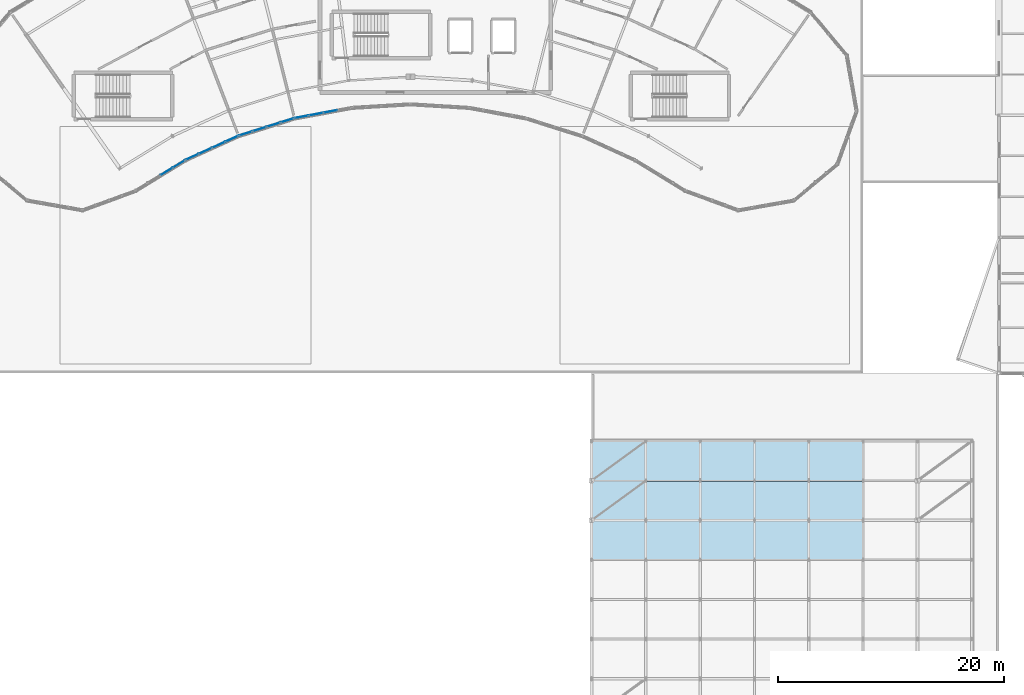
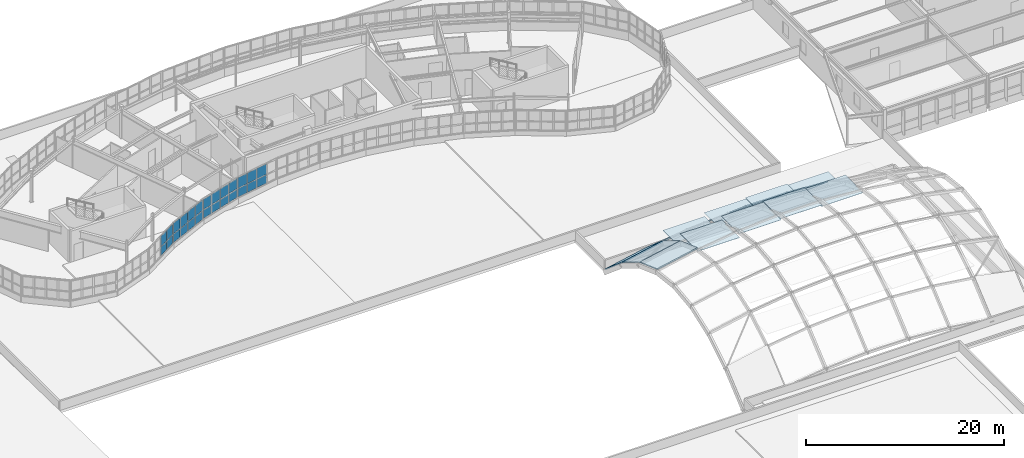
# One storey, part 75 of 128: 34 plates, 7 slabs, 4 elements without a shape of their own.
"""IFC4 building model written with IfcOpenShell, lengths in metres."""

import ifcopenshell
import ifcopenshell.guid

model = None  # the IFC model being written
_history = None  # IfcOwnerHistory: only IFC2X3 demands one
_inside = {}  # id of a spatial element -> (the spatial element, [elements in it])
_under = {}  # id of a project, library or spatial element -> (it, [spatial elements below it])
_declared = {}  # id of a project -> (the project, [libraries it declares])
_typed = {}  # id of a type object -> (the type object, [elements of that type])
_made_of = {}  # id of a material, layer set ... -> (it, [elements and type objects made of it])


def new_model(schema):
    """Start an empty IFC model of exactly this schema.

    Asked for "IFC4X3", IfcOpenShell would pick the latest addendum, in which some entities
    have other attributes; the version numbers below select the first issue.
    IFC2X3 requires an IfcOwnerHistory on every rooted entity: one is made here for all.
    """
    global model, _history
    if schema == "IFC4X3":
        model = ifcopenshell.file(schema_version=(4, 3, 0, 0))
    else:
        model = ifcopenshell.file(schema=schema)
    _inside.clear()
    _under.clear()
    _declared.clear()
    _typed.clear()
    _made_of.clear()
    _history = None
    if model.schema == "IFC2X3":
        org = make("IfcOrganization", Name="unknown")
        user = make(
            "IfcPersonAndOrganization",
            ThePerson=make("IfcPerson", FamilyName="unknown"),
            TheOrganization=org,
        )
        app = make(
            "IfcApplication",
            ApplicationDeveloper=org,
            Version="unknown",
            ApplicationFullName="unknown",
            ApplicationIdentifier="unknown",
        )
        _history = make(
            "IfcOwnerHistory",
            OwningUser=user,
            OwningApplication=app,
            ChangeAction="ADDED",
            CreationDate=0,
        )
    return model


def make(cls, **values):
    """One entity of the class cls with the attributes given. An attribute that is None is left unset."""
    return model.create_entity(
        cls, **{name: value for name, value in values.items() if value is not None}
    )


def rooted(cls, **values):
    """An entity with a GlobalId (a new one), such as an element, a storey or a relation."""
    return make(cls, GlobalId=ifcopenshell.guid.new(), OwnerHistory=_history, **values)


def si_unit(unit_type, name, prefix=None):
    """IfcSIUnit, for example si_unit("LENGTHUNIT", "METRE", prefix="MILLI")."""
    return make("IfcSIUnit", UnitType=unit_type, Prefix=prefix, Name=name)


def assignment(units):
    """IfcUnitAssignment: the units of a project."""
    return None if units is None else make("IfcUnitAssignment", Units=units)


def point(xyz):
    """IfcCartesianPoint."""
    return None if xyz is None else make("IfcCartesianPoint", Coordinates=xyz)


def direction(xyz):
    """IfcDirection."""
    return None if xyz is None else make("IfcDirection", DirectionRatios=xyz)


def frame(location, z_axis=None, x_axis=None):
    """IfcAxis2Placement3D, a coordinate frame: its origin and axes. An axis left out is left unset."""
    return make(
        "IfcAxis2Placement3D",
        Location=point(location),
        Axis=direction(z_axis),
        RefDirection=direction(x_axis),
    )


def frame_2d(location, x_axis=None):
    """IfcAxis2Placement2D, a coordinate frame in the plane: its origin and x axis."""
    return make(
        "IfcAxis2Placement2D", Location=point(location), RefDirection=direction(x_axis)
    )


def origin():
    """The frame at (0, 0, 0) with its axes left unset."""
    return frame((0.0, 0.0, 0.0))


def origin_2d():
    """The frame at (0, 0) in the plane with its x axis left unset."""
    return frame_2d((0.0, 0.0))


def place(relative_to, where):
    """IfcLocalPlacement: puts the frame where relative to a parent placement (None: the world)."""
    return make(
        "IfcLocalPlacement", PlacementRelTo=relative_to, RelativePlacement=where
    )


def context(
    kind, dimensions, precision=None, world=None, true_north=None, identifier=None
):
    """IfcGeometricRepresentationContext, for example the 3D "Model" context."""
    return make(
        "IfcGeometricRepresentationContext",
        ContextIdentifier=identifier,
        ContextType=kind,
        CoordinateSpaceDimension=dimensions,
        Precision=precision,
        WorldCoordinateSystem=world,
        TrueNorth=true_north,
    )


def subcontext(parent, identifier, kind, view, scale=None):
    """IfcGeometricRepresentationSubContext, for example "Body" below "Model"."""
    return make(
        "IfcGeometricRepresentationSubContext",
        ContextIdentifier=identifier,
        ContextType=kind,
        ParentContext=parent,
        TargetScale=scale,
        TargetView=view,
    )


def project(units=None, contexts=None):
    """IfcProject with its units and contexts."""
    return rooted(
        "IfcProject",
        Name="project",
        RepresentationContexts=contexts,
        UnitsInContext=assignment(units),
    )


def spatial(cls, under=None, at=None, **own):
    """A site, building, storey or space (cls), placed at a placement, below another one or the project."""
    s = rooted(cls, ObjectPlacement=at, **own)
    if under is not None:
        _under.setdefault(under.id(), (under, []))[1].append(s)
    return s


def polyline(points):
    """IfcPolyline through the points."""
    return make("IfcPolyline", Points=[point(p) for p in points])


def profile(cls, at=None, kind="AREA", **sizes):
    """A parametric profile (cls). Its sizes go by their IFC names, for example OverallWidth=200.0."""
    return make(cls, ProfileType=kind, Position=at, **sizes)


def rectangle(**sizes):
    """IfcRectangleProfileDef."""
    return profile("IfcRectangleProfileDef", **sizes)


def outline(outer, holes=None, kind="AREA"):
    """IfcArbitraryClosedProfileDef: a profile drawn as a closed curve; with holes, ...WithVoids."""
    if holes is None:
        return make("IfcArbitraryClosedProfileDef", ProfileType=kind, OuterCurve=outer)
    return make(
        "IfcArbitraryProfileDefWithVoids",
        ProfileType=kind,
        OuterCurve=outer,
        InnerCurves=holes,
    )


def extrude(swept, where, along, depth):
    """IfcExtrudedAreaSolid: the profile swept, set in the frame where, extruded along a direction by depth."""
    return make(
        "IfcExtrudedAreaSolid",
        SweptArea=swept,
        Position=where,
        ExtrudedDirection=direction(along),
        Depth=depth,
    )


def shape(context_of_items, identifier, shape_type, items):
    """IfcShapeRepresentation: the items that make up one representation, for example the "Body"."""
    return make(
        "IfcShapeRepresentation",
        ContextOfItems=context_of_items,
        RepresentationIdentifier=identifier,
        RepresentationType=shape_type,
        Items=items,
    )


def material(Name=None, Category=None):
    """IfcMaterial."""
    return make("IfcMaterial", Name=Name, Category=Category)


def layer(
    of_material, thickness, ventilated=None, Name=None, Category=None, Priority=None
):
    """IfcMaterialLayer: one layer of a wall or slab, of a material (None: an air gap)."""
    return make(
        "IfcMaterialLayer",
        Material=of_material,
        LayerThickness=thickness,
        IsVentilated=ventilated,
        Name=Name,
        Category=Category,
        Priority=Priority,
    )


def layer_set(layers, Name=None):
    """IfcMaterialLayerSet."""
    return make("IfcMaterialLayerSet", MaterialLayers=layers, LayerSetName=Name)


def made_of(thing, what):
    """Note that an element or type object is made of a material, layer set ...; save() writes the relation."""
    if what is not None:
        _made_of.setdefault(what.id(), (what, []))[1].append(thing)
    return thing


def type_object(cls, material=None, **own):
    """A type object (cls), such as IfcWallType, which elements share."""
    return made_of(rooted(cls, **own), material)


def element(
    cls,
    number,
    at=None,
    inside=None,
    cuts=None,
    type_object=None,
    material=None,
    context=None,
    identifier="Body",
    shape_type=None,
    held_by="IfcProductDefinitionShape",
    body=None,
    shapes=None,
    **own,
):
    """One element of the class cls, such as IfcWall. Its Tag is "e" and its number.

    at: its placement. inside: the storey or other place that contains it. cuts: it is an
    opening in that element (IfcRelVoidsElement). A single representation is given by context,
    identifier, shape_type and body (its items); several are given by shapes. held_by: the class
    of the entity that holds the representations. save() writes the other relations.
    """
    e = rooted(cls, Tag="e%d" % number, ObjectPlacement=at, **own)
    if body is not None:
        shapes = [shape(context, identifier, shape_type, body)]
    if shapes is not None:
        e.Representation = make(held_by, Representations=shapes)
    if inside is not None:
        _inside.setdefault(inside.id(), (inside, []))[1].append(e)
    if cuts is not None:
        rooted(
            "IfcRelVoidsElement", RelatingBuildingElement=cuts, RelatedOpeningElement=e
        )
    if type_object is not None:
        _typed.setdefault(type_object.id(), (type_object, []))[1].append(e)
    return made_of(e, material)


def aggregate(whole, parts):
    """IfcRelAggregates: a whole, such as a stair, and the parts it consists of."""
    return rooted("IfcRelAggregates", RelatingObject=whole, RelatedObjects=parts)


def save(model, path):
    """Write the relations noted so far, then the file.

    IfcRelAggregates (storeys below a building ...), IfcRelContainedInSpatialStructure (elements
    in a storey), IfcRelDefinesByType, IfcRelAssociatesMaterial and IfcRelDeclares: one each for
    every whole, place, type object, material and project.
    """
    for whole, parts in _under.values():
        aggregate(whole, parts)
    for where, things in _inside.values():
        rooted(
            "IfcRelContainedInSpatialStructure",
            RelatedElements=things,
            RelatingStructure=where,
        )
    for kind, things in _typed.values():
        rooted("IfcRelDefinesByType", RelatedObjects=things, RelatingType=kind)
    for what, things in _made_of.values():
        rooted("IfcRelAssociatesMaterial", RelatedObjects=things, RelatingMaterial=what)
    for by, libraries in _declared.values():
        rooted("IfcRelDeclares", RelatingContext=by, RelatedDefinitions=libraries)
    model.write(path)


model = new_model("IFC4")

# Units and contexts
model_context = context("Model", 3, precision=1e-05, world=origin(), true_north=direction((0.0, 1.0)))
body_context = subcontext(model_context, "Body", "Model", "MODEL_VIEW")
ifc_project = project(units=[si_unit("LENGTHUNIT", "METRE"), si_unit("AREAUNIT", "SQUARE_METRE"), si_unit("VOLUMEUNIT", "CUBIC_METRE"), si_unit("PLANEANGLEUNIT", "RADIAN"), si_unit("MASSUNIT", "GRAM", prefix="KILO")], contexts=[model_context])

# Site, building, storey
site_placement = place(None, origin())
site = spatial("IfcSite", under=ifc_project, at=site_placement, CompositionType="ELEMENT")
building_placement = place(site_placement, origin())
building = spatial("IfcBuilding", under=site, at=building_placement, Name="Tarnwether General Hospital", CompositionType="ELEMENT")
storey_placement = place(building_placement, frame((0.0, 0.0, 14.39990234375)))
storey = spatial("IfcBuildingStorey", under=building, at=storey_placement, Name="L03", CompositionType="ELEMENT", Elevation=14.39990234375)

# Curtain wall, plates
ifc_material_1 = material(Name="Anodised aluminium", Category="aluminium")
ifc_layer_1 = layer(ifc_material_1, 0.159912109375)
ifc_layer_set_1 = layer_set([ifc_layer_1], Name="Anodised aluminium")
curtain_wall_type = type_object("IfcCurtainWallType", Name="CW-03", PredefinedType="NOTDEFINED", material=ifc_layer_set_1)
curtain_wall_1_placement = place(storey_placement, origin())
curtain_wall_1 = element("IfcCurtainWall", 1, at=curtain_wall_1_placement, inside=storey, type_object=curtain_wall_type, Name="Curtain Wall CWG-L03-721_1004-0006", PredefinedType="NOTDEFINED")
ifc_material_2 = material(Name="Double glazed low-E glass", Category="glass")
ifc_layer_2 = layer(ifc_material_2, 0.028076171875)
ifc_layer_set_2 = layer_set([ifc_layer_2], Name="Double glazed low-E glass")
plate_type_1 = type_object("IfcPlateType", Name="PT-CWP1", PredefinedType="CURTAIN_PANEL", material=ifc_layer_set_2)
plate_1_placement = place(storey_placement, frame((71.52734375, 100.08984375, 1.1201171875), z_axis=(0.0, 0.0, 1.0), x_axis=(-0.852631789198, -0.522512231483, 0.0)))
plate_1 = element("IfcPlate", 2, at=plate_1_placement, type_object=plate_type_1, Name="CW-03 panel 1.1", PredefinedType="CURTAIN_PANEL", context=body_context, shape_type="SweptSolid", body=[
    extrude(rectangle(XDim=1.189208984375, YDim=0.028076171875, at=origin_2d()), origin(), (0.0, 0.0, 1.0), 1.0244140625),
])
plate_2_placement = place(storey_placement, frame((71.52734375, 100.08984375, 2.214599609375), z_axis=(0.0, 0.0, 1.0), x_axis=(-0.852631789198, -0.522512231483, 0.0)))
plate_2 = element("IfcPlate", 3, at=plate_2_placement, type_object=plate_type_1, Name="CW-03 panel 1.2", PredefinedType="CURTAIN_PANEL", context=body_context, shape_type="SweptSolid", body=[
    extrude(rectangle(XDim=1.189208984375, YDim=0.028076171875, at=origin_2d()), origin(), (0.0, 0.0, 1.0), 1.275390625),
])
plate_3_placement = place(storey_placement, frame((70.438720703125, 99.422607421875, 1.1201171875), z_axis=(0.0, 0.0, 1.0), x_axis=(-0.852631789198, -0.522512231483, 0.0)))
plate_3 = element("IfcPlate", 4, at=plate_3_placement, type_object=plate_type_1, Name="CW-03 panel 2.1", PredefinedType="CURTAIN_PANEL", context=body_context, shape_type="SweptSolid", body=[
    extrude(rectangle(XDim=1.22412109375, YDim=0.028076171875, at=origin_2d()), origin(), (0.0, 0.0, 1.0), 1.0244140625),
])
plate_4_placement = place(storey_placement, frame((70.438720703125, 99.422607421875, 2.214599609375), z_axis=(0.0, 0.0, 1.0), x_axis=(-0.852631789198, -0.522512231483, 0.0)))
plate_4 = element("IfcPlate", 5, at=plate_4_placement, type_object=plate_type_1, Name="CW-03 panel 2.2", PredefinedType="CURTAIN_PANEL", context=body_context, shape_type="SweptSolid", body=[
    extrude(rectangle(XDim=1.22412109375, YDim=0.028076171875, at=origin_2d()), origin(), (0.0, 0.0, 1.0), 1.275390625),
])
aggregate(curtain_wall_1, [plate_1, plate_2, plate_3, plate_4])

curtain_wall_2_placement = place(storey_placement, origin())
curtain_wall_2 = element("IfcCurtainWall", 6, at=curtain_wall_2_placement, inside=storey, type_object=curtain_wall_type, Name="Curtain Wall CWG-L03-817_1041-0008", PredefinedType="NOTDEFINED")
plate_5_placement = place(storey_placement, frame((81.106689453125, 103.9404296875, 1.1298828125), z_axis=(0.0, 0.0, 1.0), x_axis=(-0.953713927508, -0.30071538783, 0.0)))
plate_5 = element("IfcPlate", 7, at=plate_5_placement, type_object=plate_type_1, Name="CW-03 panel 1.1", PredefinedType="CURTAIN_PANEL", context=body_context, shape_type="SweptSolid", body=[
    extrude(rectangle(XDim=1.17431640625, YDim=0.028076171875, at=origin_2d()), origin(), (0.0, 0.0, 1.0), 1.009521484375),
])
plate_6_placement = place(storey_placement, frame((81.106689453125, 103.9404296875, 2.2197265625), z_axis=(0.0, 0.0, 1.0), x_axis=(-0.953713927508, -0.30071538783, 0.0)))
plate_6 = element("IfcPlate", 8, at=plate_6_placement, type_object=plate_type_1, Name="CW-03 panel 1.2", PredefinedType="CURTAIN_PANEL", context=body_context, shape_type="SweptSolid", body=[
    extrude(rectangle(XDim=1.17431640625, YDim=0.028076171875, at=origin_2d()), origin(), (0.0, 0.0, 1.0), 1.260498046875),
])
plate_7_placement = place(storey_placement, frame((79.891357421875, 103.55712890625, 1.1298828125), z_axis=(0.0, 0.0, 1.0), x_axis=(-0.953713927508, -0.30071538783, 0.0)))
plate_7 = element("IfcPlate", 9, at=plate_7_placement, type_object=plate_type_1, Name="CW-03 panel 2.1", PredefinedType="CURTAIN_PANEL", context=body_context, shape_type="SweptSolid", body=[
    extrude(rectangle(XDim=1.21435546875, YDim=0.028076171875, at=origin_2d()), origin(), (0.0, 0.0, 1.0), 1.009521484375),
])
plate_8_placement = place(storey_placement, frame((79.891357421875, 103.55712890625, 2.2197265625), z_axis=(0.0, 0.0, 1.0), x_axis=(-0.953713927508, -0.30071538783, 0.0)))
plate_8 = element("IfcPlate", 10, at=plate_8_placement, type_object=plate_type_1, Name="CW-03 panel 2.2", PredefinedType="CURTAIN_PANEL", context=body_context, shape_type="SweptSolid", body=[
    extrude(rectangle(XDim=1.21435546875, YDim=0.028076171875, at=origin_2d()), origin(), (0.0, 0.0, 1.0), 1.260498046875),
])
plate_9_placement = place(storey_placement, frame((78.65673828125, 103.16796875, 1.1298828125), z_axis=(0.0, 0.0, 1.0), x_axis=(-0.953713927508, -0.30071538783, 0.0)))
plate_9 = element("IfcPlate", 11, at=plate_9_placement, type_object=plate_type_1, Name="CW-03 panel 3.1", PredefinedType="CURTAIN_PANEL", context=body_context, shape_type="SweptSolid", body=[
    extrude(rectangle(XDim=1.21435546875, YDim=0.028076171875, at=origin_2d()), origin(), (0.0, 0.0, 1.0), 1.009521484375),
])
plate_10_placement = place(storey_placement, frame((78.65673828125, 103.16796875, 2.2197265625), z_axis=(0.0, 0.0, 1.0), x_axis=(-0.953713927508, -0.30071538783, 0.0)))
plate_10 = element("IfcPlate", 12, at=plate_10_placement, type_object=plate_type_1, Name="CW-03 panel 3.2", PredefinedType="CURTAIN_PANEL", context=body_context, shape_type="SweptSolid", body=[
    extrude(rectangle(XDim=1.21435546875, YDim=0.028076171875, at=origin_2d()), origin(), (0.0, 0.0, 1.0), 1.260498046875),
])
plate_11_placement = place(storey_placement, frame((77.44140625, 102.78466796875, 1.1298828125), z_axis=(0.0, 0.0, 1.0), x_axis=(-0.953713927508, -0.30071538783, 0.0)))
plate_11 = element("IfcPlate", 13, at=plate_11_placement, type_object=plate_type_1, Name="CW-03 panel 4.1", PredefinedType="CURTAIN_PANEL", context=body_context, shape_type="SweptSolid", body=[
    extrude(rectangle(XDim=1.17431640625, YDim=0.028076171875, at=origin_2d()), origin(), (0.0, 0.0, 1.0), 1.009521484375),
])
plate_12_placement = place(storey_placement, frame((77.44140625, 102.78466796875, 2.2197265625), z_axis=(0.0, 0.0, 1.0), x_axis=(-0.953713927508, -0.30071538783, 0.0)))
plate_12 = element("IfcPlate", 14, at=plate_12_placement, type_object=plate_type_1, Name="CW-03 panel 4.2", PredefinedType="CURTAIN_PANEL", context=body_context, shape_type="SweptSolid", body=[
    extrude(rectangle(XDim=1.17431640625, YDim=0.028076171875, at=origin_2d()), origin(), (0.0, 0.0, 1.0), 1.260498046875),
])
aggregate(curtain_wall_2, [plate_5, plate_6, plate_7, plate_8, plate_9, plate_10, plate_11, plate_12])

curtain_wall_3_placement = place(storey_placement, origin())
curtain_wall_3 = element("IfcCurtainWall", 15, at=curtain_wall_3_placement, inside=storey, type_object=curtain_wall_type, Name="Curtain Wall CWG-L03-868_1051-0009", PredefinedType="NOTDEFINED")
plate_13_placement = place(storey_placement, frame((84.92431640625, 104.73046875, 1.110107421875), z_axis=(0.0, 0.0, 1.0), x_axis=(-0.983267910924, -0.182165351666, 0.0)))
plate_13 = element("IfcPlate", 16, at=plate_13_placement, type_object=plate_type_1, Name="CW-03 panel 2.1", PredefinedType="CURTAIN_PANEL", context=body_context, shape_type="SweptSolid", body=[
    extrude(rectangle(XDim=1.234130859375, YDim=0.028076171875, at=origin_2d()), origin(), (0.0, 0.0, 1.0), 1.03955078125),
])
plate_14_placement = place(storey_placement, frame((84.92431640625, 104.73046875, 2.20947265625), z_axis=(0.0, 0.0, 1.0), x_axis=(-0.983267910924, -0.182165351666, 0.0)))
plate_14 = element("IfcPlate", 17, at=plate_14_placement, type_object=plate_type_1, Name="CW-03 panel 2.2", PredefinedType="CURTAIN_PANEL", context=body_context, shape_type="SweptSolid", body=[
    extrude(rectangle(XDim=1.234130859375, YDim=0.028076171875, at=origin_2d()), origin(), (0.0, 0.0, 1.0), 1.29052734375),
])
plate_15_placement = place(storey_placement, frame((83.65185546875, 104.49462890625, 1.110107421875), z_axis=(0.0, 0.0, 1.0), x_axis=(-0.983267910924, -0.182165351666, 0.0)))
plate_15 = element("IfcPlate", 18, at=plate_15_placement, type_object=plate_type_1, Name="CW-03 panel 3.1", PredefinedType="CURTAIN_PANEL", context=body_context, shape_type="SweptSolid", body=[
    extrude(rectangle(XDim=1.234130859375, YDim=0.028076171875, at=origin_2d()), origin(), (0.0, 0.0, 1.0), 1.03955078125),
])
plate_16_placement = place(storey_placement, frame((83.65185546875, 104.49462890625, 2.20947265625), z_axis=(0.0, 0.0, 1.0), x_axis=(-0.983267910924, -0.182165351666, 0.0)))
plate_16 = element("IfcPlate", 19, at=plate_16_placement, type_object=plate_type_1, Name="CW-03 panel 3.2", PredefinedType="CURTAIN_PANEL", context=body_context, shape_type="SweptSolid", body=[
    extrude(rectangle(XDim=1.234130859375, YDim=0.028076171875, at=origin_2d()), origin(), (0.0, 0.0, 1.0), 1.29052734375),
])
plate_17_placement = place(storey_placement, frame((82.39404296875, 104.26171875, 1.110107421875), z_axis=(0.0, 0.0, 1.0), x_axis=(-0.983267910924, -0.182165351666, 0.0)))
plate_17 = element("IfcPlate", 20, at=plate_17_placement, type_object=plate_type_1, Name="CW-03 panel 4.1", PredefinedType="CURTAIN_PANEL", context=body_context, shape_type="SweptSolid", body=[
    extrude(rectangle(XDim=1.2041015625, YDim=0.028076171875, at=origin_2d()), origin(), (0.0, 0.0, 1.0), 1.03955078125),
])
plate_18_placement = place(storey_placement, frame((82.39404296875, 104.26171875, 2.20947265625), z_axis=(0.0, 0.0, 1.0), x_axis=(-0.983267910924, -0.182165351666, 0.0)))
plate_18 = element("IfcPlate", 21, at=plate_18_placement, type_object=plate_type_1, Name="CW-03 panel 4.2", PredefinedType="CURTAIN_PANEL", context=body_context, shape_type="SweptSolid", body=[
    extrude(rectangle(XDim=1.2041015625, YDim=0.028076171875, at=origin_2d()), origin(), (0.0, 0.0, 1.0), 1.29052734375),
])
aggregate(curtain_wall_3, [plate_13, plate_14, plate_15, plate_16, plate_17, plate_18])

curtain_wall_4_placement = place(storey_placement, origin())
curtain_wall_4 = element("IfcCurtainWall", 22, at=curtain_wall_4_placement, inside=storey, type_object=curtain_wall_type, Name="Curtain Wall CWG-L03-768_1026-0007", PredefinedType="NOTDEFINED")
ifc_material_3 = material(Name="Double glazed low-E glass", Category="glass")
ifc_layer_3 = layer(ifc_material_3, 0.035888671875)
ifc_layer_set_3 = layer_set([ifc_layer_3], Name="Double glazed low-E glass")
plate_type_2 = type_object("IfcPlateType", Name="PT-CWP2", PredefinedType="CURTAIN_PANEL", material=ifc_layer_set_3)
plate_19_placement = place(storey_placement, frame((76.201416015625, 102.308837890625, 1.115234375), z_axis=(0.0, 0.0, 1.0), x_axis=(-0.90995590549, -0.41470501572, 0.0)))
plate_19 = element("IfcPlate", 23, at=plate_19_placement, type_object=plate_type_2, Name="CW-03 panel 1.1", PredefinedType="CURTAIN_PANEL", context=body_context, shape_type="SweptSolid", body=[
    extrude(rectangle(XDim=1.19677734375, YDim=0.035888671875, at=origin_2d()), origin(), (0.0, 0.0, 1.0), 1.031982421875),
])
plate_20_placement = place(storey_placement, frame((76.201416015625, 102.308837890625, 2.2119140625), z_axis=(0.0, 0.0, 1.0), x_axis=(-0.90995590549, -0.41470501572, 0.0)))
plate_20 = element("IfcPlate", 24, at=plate_20_placement, type_object=plate_type_2, Name="CW-03 panel 1.2", PredefinedType="CURTAIN_PANEL", context=body_context, shape_type="SweptSolid", body=[
    extrude(rectangle(XDim=1.19677734375, YDim=0.035888671875, at=origin_2d()), origin(), (0.0, 0.0, 1.0), 1.282958984375),
])
plate_21_placement = place(storey_placement, frame((75.038330078125, 101.77880859375, 1.115234375), z_axis=(0.0, 0.0, 1.0), x_axis=(-0.90995590549, -0.41470501572, 0.0)))
plate_21 = element("IfcPlate", 25, at=plate_21_placement, type_object=plate_type_2, Name="CW-03 panel 2.1", PredefinedType="CURTAIN_PANEL", context=body_context, shape_type="SweptSolid", body=[
    extrude(rectangle(XDim=1.229248046875, YDim=0.035888671875, at=origin_2d()), origin(), (0.0, 0.0, 1.0), 1.031982421875),
])
plate_22_placement = place(storey_placement, frame((75.038330078125, 101.77880859375, 2.2119140625), z_axis=(0.0, 0.0, 1.0), x_axis=(-0.90995590549, -0.41470501572, 0.0)))
plate_22 = element("IfcPlate", 26, at=plate_22_placement, type_object=plate_type_2, Name="CW-03 panel 2.2", PredefinedType="CURTAIN_PANEL", context=body_context, shape_type="SweptSolid", body=[
    extrude(rectangle(XDim=1.229248046875, YDim=0.035888671875, at=origin_2d()), origin(), (0.0, 0.0, 1.0), 1.282958984375),
])
plate_23_placement = place(storey_placement, frame((73.860595703125, 101.2421875, 1.115234375), z_axis=(0.0, 0.0, 1.0), x_axis=(-0.90995590549, -0.41470501572, 0.0)))
plate_23 = element("IfcPlate", 27, at=plate_23_placement, type_object=plate_type_2, Name="CW-03 panel 3.1", PredefinedType="CURTAIN_PANEL", context=body_context, shape_type="SweptSolid", body=[
    extrude(rectangle(XDim=1.229248046875, YDim=0.035888671875, at=origin_2d()), origin(), (0.0, 0.0, 1.0), 1.031982421875),
])
plate_24_placement = place(storey_placement, frame((73.860595703125, 101.2421875, 2.2119140625), z_axis=(0.0, 0.0, 1.0), x_axis=(-0.90995590549, -0.41470501572, 0.0)))
plate_24 = element("IfcPlate", 28, at=plate_24_placement, type_object=plate_type_2, Name="CW-03 panel 3.2", PredefinedType="CURTAIN_PANEL", context=body_context, shape_type="SweptSolid", body=[
    extrude(rectangle(XDim=1.229248046875, YDim=0.035888671875, at=origin_2d()), origin(), (0.0, 0.0, 1.0), 1.282958984375),
])
plate_25_placement = place(storey_placement, frame((72.69775390625, 100.712158203125, 1.115234375), z_axis=(0.0, 0.0, 1.0), x_axis=(-0.90995590549, -0.41470501572, 0.0)))
plate_25 = element("IfcPlate", 29, at=plate_25_placement, type_object=plate_type_2, Name="CW-03 panel 4.1", PredefinedType="CURTAIN_PANEL", context=body_context, shape_type="SweptSolid", body=[
    extrude(rectangle(XDim=1.19677734375, YDim=0.035888671875, at=origin_2d()), origin(), (0.0, 0.0, 1.0), 1.031982421875),
])
plate_26_placement = place(storey_placement, frame((72.69775390625, 100.712158203125, 2.2119140625), z_axis=(0.0, 0.0, 1.0), x_axis=(-0.90995590549, -0.41470501572, 0.0)))
plate_26 = element("IfcPlate", 30, at=plate_26_placement, type_object=plate_type_2, Name="CW-03 panel 4.2", PredefinedType="CURTAIN_PANEL", context=body_context, shape_type="SweptSolid", body=[
    extrude(rectangle(XDim=1.19677734375, YDim=0.035888671875, at=origin_2d()), origin(), (0.0, 0.0, 1.0), 1.282958984375),
])
aggregate(curtain_wall_4, [plate_19, plate_20, plate_21, plate_22, plate_23, plate_24, plate_25, plate_26])

# Plates
ifc_material_4 = material(Name="Laminated skylight glass", Category="glass")
ifc_layer_4 = layer(ifc_material_4, 0.0419921875)
ifc_layer_set_4 = layer_set([ifc_layer_4], Name="Laminated skylight glass")
plate_type_3 = type_object("IfcPlateType", Name="PT-SKY1", PredefinedType="SHEET", material=ifc_layer_set_4)
for number, where, z_axis, x_axis, name in (
    (31, (115.199951171875, 66.85009765625, 7.2626953125), (0.0, 0.0, 1.0), (1.0, 0.0, 0.0), "Main Hall Gridshell Skylight Panel 2-6"),
    (32, (120.0, 70.35009765625, 6.052490234375), (0.0, 0.0, 1.0), (1.0, 0.0, 0.0), "Main Hall Gridshell Skylight Panel 3-7"),
    (33, (124.800048828125, 66.85009765625, 7.915771484375), (0.0, 0.0, 1.0), (1.0, 0.0, 0.0), "Main Hall Gridshell Skylight Panel 4-6"),
    (34, (129.60009765625, 70.35009765625, 6.052490234375), (0.0, 0.0, 1.0), (1.0, 0.0, 0.0), "Main Hall Gridshell Skylight Panel 5-7"),
):
    element("IfcPlate", number, at=place(storey_placement, frame(where, z_axis=z_axis, x_axis=x_axis)), inside=storey, type_object=plate_type_3, Name=name, PredefinedType="SHEET", context=body_context, shape_type="SweptSolid", body=[
        extrude(rectangle(XDim=4.860107421875, YDim=3.56005859375, at=origin_2d()), origin(), (0.0, 0.0, 1.0), 0.0419921875),
    ])
ifc_material_5 = material(Name="Laminated skylight glass", Category="glass")
ifc_layer_5 = layer(ifc_material_5, 0.050048828125)
ifc_layer_set_5 = layer_set([ifc_layer_5], Name="Laminated skylight glass")
plate_type_4 = type_object("IfcPlateType", Name="PT-SKY2", PredefinedType="SHEET", material=ifc_layer_set_5)
for number, where, z_axis, x_axis, name in (
    (35, (115.199951171875, 70.35009765625, 5.55859375), (0.0, 0.0, 1.0), (1.0, 0.0, 0.0), "Main Hall Gridshell Skylight Panel 2-7"),
    (36, (120.0, 66.85009765625, 7.74853515625), (0.0, 0.0, 1.0), (1.0, 0.0, 0.0), "Main Hall Gridshell Skylight Panel 3-6"),
    (37, (124.800048828125, 70.35009765625, 6.2119140625), (0.0, 0.0, 1.0), (1.0, 0.0, 0.0), "Main Hall Gridshell Skylight Panel 4-7"),
    (38, (129.60009765625, 66.85009765625, 7.74853515625), (0.0, 0.0, 1.0), (1.0, 0.0, 0.0), "Main Hall Gridshell Skylight Panel 5-6"),
):
    element("IfcPlate", number, at=place(storey_placement, frame(where, z_axis=z_axis, x_axis=x_axis)), inside=storey, type_object=plate_type_4, Name=name, PredefinedType="SHEET", context=body_context, shape_type="SweptSolid", body=[
        extrude(rectangle(XDim=4.860107421875, YDim=3.56005859375, at=origin_2d()), origin(), (0.0, 0.0, 1.0), 0.050048828125),
    ])

# Slabs
ifc_material_6 = material(Name="Precast concrete 40 MPa", Category="concrete")
ifc_layer_6 = layer(ifc_material_6, 0.139892578125)
ifc_layer_set_6 = layer_set([ifc_layer_6], Name="Precast concrete 40 MPa")
slab_type = type_object("IfcSlabType", Name="SL-GS140", PredefinedType="ROOF", material=ifc_layer_set_6)
slab_1_placement = place(storey_placement, frame((108.048095703125, 65.135009765625, 6.777099609375), z_axis=(-0.188367185681, 0.336163277416, 0.922774107935), x_axis=(0.979794501025, 0.0, 0.200006839286)))
element("IfcSlab", 39, at=slab_1_placement, inside=storey, type_object=slab_type, Name="Main Hall Gridshell Roof Panel 1-6", PredefinedType="ROOF", context=body_context, shape_type="SweptSolid", body=[
    extrude(outline(polyline([(0.0, 0.0), (4.800861218300896, 0.0), (4.550950328782395, 3.6418752232818408), (-0.24991088951850007, 3.6418752232818408), (0.0, 0.0)])), origin(), (0.0, 0.0, -1.0), 0.139892578125),
])
slab_2_placement = place(storey_placement, frame((108.048095703125, 68.635009765625, 5.49365234375), z_axis=(-0.171848130849, 0.511268480735, 0.842064582162), x_axis=(0.979804465448, 0.0, 0.199958019315)))
element("IfcSlab", 40, at=slab_2_placement, inside=storey, type_object=slab_type, Name="Main Hall Gridshell Roof Panel 1-7", PredefinedType="ROOF", context=body_context, shape_type="SweptSolid", body=[
    extrude(outline(polyline([(0.0, 0.0), (4.800812394465587, 5.551115123125783e-17), (4.384395913812139, 3.9909793249324688), (-0.41641648065344766, 3.9909793249324688), (0.0, 0.0)])), origin(), (0.0, 0.0, -1.0), 0.139892578125),
])
slab_3_placement = place(storey_placement, frame((108.048095703125, 72.135009765625, 3.360107421875), z_axis=(-0.153686055682, 0.63996506945, 0.752878015467), x_axis=(0.979794501025, 0.0, 0.200006839286)))
element("IfcSlab", 41, at=slab_3_placement, inside=storey, type_object=slab_type, Name="Main Hall Gridshell Roof Panel 1-8", PredefinedType="ROOF", context=body_context, shape_type="SweptSolid", body=[
    extrude(outline(polyline([(0.0, 0.0), (4.800861218300896, 2.220446049250313e-16), (4.217735809424395, 4.463708716867293), (-0.5831254088765002, 4.463708716867293), (0.0, 0.0)])), origin(), (0.0, 0.0, -1.0), 0.139892578125),
])
slab_4_placement = place(storey_placement, frame((112.847900390625, 72.135009765625, 4.33642578125), z_axis=(-0.103130980637, 0.644205980019, 0.75786717579), x_axis=(0.990867681908, 0.0, 0.134837817208)))
element("IfcSlab", 42, at=slab_4_placement, inside=storey, type_object=slab_type, Name="Main Hall Gridshell Roof Panel 2-8", PredefinedType="ROOF", context=body_context, shape_type="SweptSolid", body=[
    extrude(outline(polyline([(0.0, 0.0), (4.747456848567132, 0.0), (4.354333505525621, 4.484438068328105), (-0.3931233430415112, 4.484438068328105), (0.0, 0.0)])), origin(), (0.0, 0.0, -1.0), 0.139892578125),
])
slab_5_placement = place(storey_placement, frame((117.64794921875, 72.135009765625, 4.986328125), z_axis=(-0.051772397964, 0.646790870443, 0.760908134219), x_axis=(0.997693266702, 0.0, 0.067883323264)))
element("IfcSlab", 43, at=slab_5_placement, inside=storey, type_object=slab_type, Name="Main Hall Gridshell Roof Panel 3-8", PredefinedType="ROOF", context=body_context, shape_type="SweptSolid", body=[
    extrude(outline(polyline([(0.0, 0.0), (4.714977758694938, 0.0), (4.51706207353478, 4.497283639385227), (-0.19791568516015787, 4.497283639385226), (0.0, 0.0)])), origin(), (0.0, 0.0, -1.0), 0.139892578125),
])
slab_6_placement = place(storey_placement, frame((122.447998046875, 72.135009765625, 5.3095703125), z_axis=(0.0, 0.647659439948, 0.761929950748), x_axis=(1.0, 0.0, 0.0)))
element("IfcSlab", 44, at=slab_6_placement, inside=storey, type_object=slab_type, Name="Main Hall Gridshell Roof Panel 4-8", PredefinedType="ROOF", context=body_context, shape_type="SweptSolid", body=[
    extrude(outline(polyline([(0.0, 0.0), (4.7041015625, 0.0), (4.7041015625, 4.501636452615253), (0.0, 4.501636452615253), (0.0, 0.0)])), origin(), (0.0, 0.0, -1.0), 0.139892578125),
])
slab_7_placement = place(storey_placement, frame((127.248046875, 72.135009765625, 5.306396484375), z_axis=(0.051775077863, 0.64679078046, 0.760908028361), x_axis=(0.997693028075, 0.0, -0.067886830322)))
element("IfcSlab", 45, at=slab_7_placement, inside=storey, type_object=slab_type, Name="Main Hall Gridshell Roof Panel 5-8", PredefinedType="ROOF", context=body_context, shape_type="SweptSolid", body=[
    extrude(outline(polyline([(0.0, 0.0), (4.714734181266377, 0.0), (4.91266009134947, 4.49728318939693), (0.19792591008309304, 4.49728318939693), (0.0, 0.0)])), origin(), (0.0, 0.0, -1.0), 0.139892578125),
])

save(model, "model.ifc")
